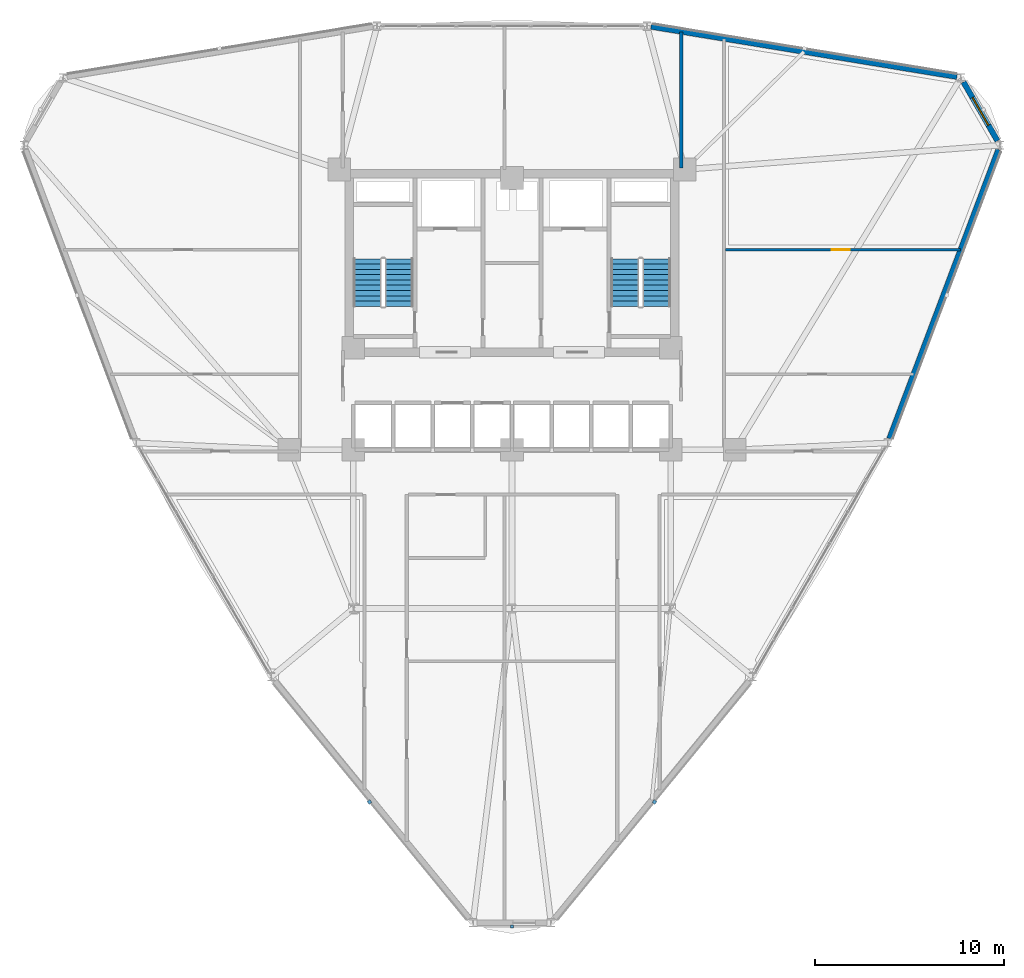
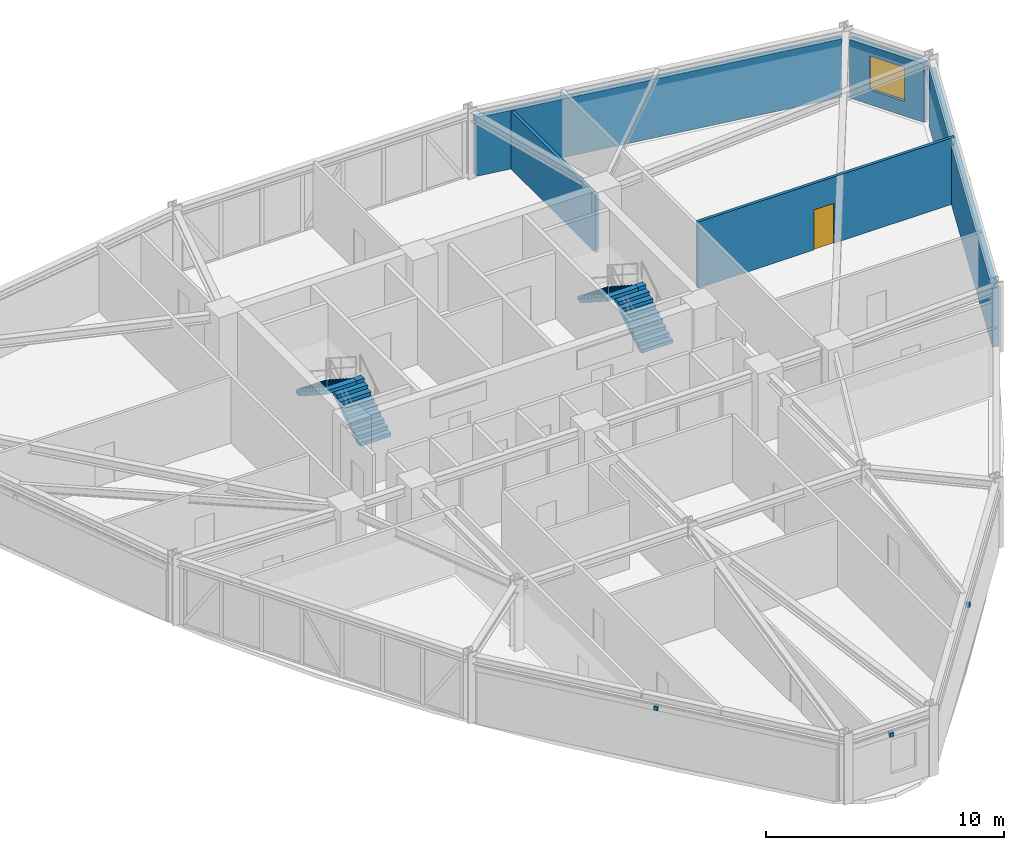
# One storey, part 14 of 17: 5 walls, 4 stair flights, 3 discrete accessories, 1 door, 1 window, 2 openings, 2 elements without a shape of their own.
"""IFC4 building model written with IfcOpenShell, lengths in metres."""

from ifc_helpers import new_model, si_unit, derived_unit, direction, frame, frame_2d, origin, origin_2d, place, context, subcontext, project, spatial, polyline, rectangle, outline, extrude, source, transform, mapped, material, layer, layer_set, type_object, element, fill, aggregate, save


model = new_model("IFC4")

# Units and contexts
model_context = context("Model", 3, precision=1e-05, world=origin(), true_north=direction((0.0, 1.0)))
body_context = subcontext(model_context, "Body", "Model", "MODEL_VIEW")
ifc_project = project(units=[si_unit("LENGTHUNIT", "METRE"), si_unit("AREAUNIT", "SQUARE_METRE"), si_unit("VOLUMEUNIT", "CUBIC_METRE"), si_unit("PLANEANGLEUNIT", "RADIAN"), si_unit("MASSUNIT", "GRAM", prefix="KILO"), derived_unit("THERMALTRANSMITTANCEUNIT", [(si_unit("POWERUNIT", "WATT"), 1), (si_unit("LENGTHUNIT", "METRE"), -2), (si_unit("THERMODYNAMICTEMPERATUREUNIT", "KELVIN"), -1)])], contexts=[model_context])

# Site, building, storey
site_placement = place(None, origin())
site = spatial("IfcSite", under=ifc_project, at=site_placement, CompositionType="ELEMENT")
building_placement = place(site_placement, origin())
building = spatial("IfcBuilding", under=site, at=building_placement, Name="Korsvarv Bourse and Concert Hall", CompositionType="ELEMENT")
storey_placement = place(building_placement, frame((0.0, 0.0, 102.60009765625)))
storey = spatial("IfcBuildingStorey", under=building, at=storey_placement, Name="L25", CompositionType="ELEMENT", Elevation=102.60009765625)

# Wall, opening, window
ifc_material_1 = material(Name="Precast concrete C45/55 with terracotta rainscreen", Category="concrete")
ifc_layer_1 = layer(ifc_material_1, 0.300048828125)
ifc_layer_set_1 = layer_set([ifc_layer_1], Name="Precast concrete C45/55 with terracotta rainscreen")
wall_type_1 = type_object("IfcWallType", Name="WL-EXT-TC1", PredefinedType="SOLIDWALL", material=ifc_layer_set_1)
wall_1_placement = place(storey_placement, frame((61.717041015625, 48.769287109375, 0.0), z_axis=(0.0, 0.0, 1.0), x_axis=(-0.500012057535, 0.866018442252, 0.0)))
wall_1 = element("IfcWall", 1, at=wall_1_placement, inside=storey, type_object=wall_type_1, Name="L25 terracotta exterior wall EW-L25-B01", PredefinedType="SOLIDWALL", context=body_context, shape_type="SweptSolid", body=[
    extrude(rectangle(XDim=3.60009765625, YDim=0.300048828125, at=frame_2d((1.800048828125, 0.0))), origin(), (0.0, 0.0, 1.0), 3.0),
])
opening_1_placement = place(wall_1_placement, frame((0.949951171875, 0.0, 0.75)))
opening_1 = element("IfcOpeningElement", 2, at=opening_1_placement, cuts=wall_1, Name="Opening W-01", PredefinedType="OPENING", context=body_context, shape_type="SweptSolid", body=[
    extrude(rectangle(XDim=1.699951171875, YDim=1.75, at=frame_2d((0.85009765625, 0.875))), frame((0.0, 0.16015625, 0.0), z_axis=(0.0, -1.0, 0.0), x_axis=(1.0, 0.0, 0.0)), (0.0, 0.0, 1.0), 0.320068359375),
])
ifc_material_2 = material(Name="Thermally broken aluminium frame with triple low-E glass", Category="glass")
window_type = type_object("IfcWindowType", Name="WIN-TW1", PartitioningType="SINGLE_PANEL", PredefinedType="WINDOW", material=ifc_material_2)
window_placement = place(opening_1_placement, origin())
window = element("IfcWindow", 3, at=window_placement, inside=storey, type_object=window_type, Name="L25 punched facade window W-01", OverallHeight=1.75, OverallWidth=1.699951171875, PartitioningType="SINGLE_PANEL", PredefinedType="WINDOW", context=body_context, shape_type="SweptSolid", body=[
    extrude(rectangle(XDim=1.699951171875, YDim=1.75, at=frame_2d((0.85009765625, 0.875))), frame((0.0, 0.030029296875, 0.0), z_axis=(0.0, -1.0, 0.0), x_axis=(1.0, 0.0, 0.0)), (0.0, 0.0, 1.0), 0.06005859375),
])
fill(opening_1, window)

# Walls
ifc_material_3 = material(Name="Precast concrete C45/55 with fluted terracotta pier", Category="concrete")
ifc_layer_2 = layer(ifc_material_3, 0.280029296875)
ifc_layer_set_2 = layer_set([ifc_layer_2], Name="Precast concrete C45/55 with fluted terracotta pier")
wall_type_2 = type_object("IfcWallType", Name="WL-EXT-TC2", PredefinedType="SOLIDWALL", material=ifc_layer_set_2)
wall_2_placement = place(storey_placement, frame((59.56884765625, 52.154541015625, 0.0), z_axis=(0.0, 0.0, 1.0), x_axis=(-0.986776921995, 0.162084256539, 0.0)))
element("IfcWall", 4, at=wall_2_placement, inside=storey, type_object=wall_type_2, Name="L25 terracotta exterior wall EW-L25-B02", PredefinedType="SOLIDWALL", context=body_context, shape_type="SweptSolid", body=[
    extrude(rectangle(XDim=16.422607421875, YDim=0.280029296875, at=frame_2d((8.21142578125, 0.0))), origin(), (0.0, 0.0, 1.0), 3.0),
])
wall_3_placement = place(storey_placement, frame((55.98828125, 32.998291015625, 0.0), z_axis=(0.0, 0.0, 1.0), x_axis=(0.353021512356, 0.935615204993, 0.0)))
element("IfcWall", 5, at=wall_3_placement, inside=storey, type_object=wall_type_2, Name="L25 terracotta exterior wall EW-L25-B12", PredefinedType="SOLIDWALL", context=body_context, shape_type="SweptSolid", body=[
    extrude(rectangle(XDim=16.359130859375, YDim=0.280029296875, at=frame_2d((8.1796875, 0.0))), origin(), (0.0, 0.0, 1.0), 3.0),
])
ifc_material_4 = material(Name="Double-stud fire-rated acoustic partition", Category="gypsum")
ifc_layer_3 = layer(ifc_material_4, 0.159912109375)
ifc_layer_set_3 = layer_set([ifc_layer_3], Name="Double-stud fire-rated acoustic partition")
wall_type_3 = type_object("IfcWallType", Name="WL-INT-EI60", PredefinedType="PARTITIONING", material=ifc_layer_set_3)
wall_4_placement = place(storey_placement, frame((44.965087890625, 47.340087890625, 0.0), z_axis=(0.0, 0.0, 1.0), x_axis=(0.0, 1.0, 0.0)))
element("IfcWall", 6, at=wall_4_placement, inside=storey, type_object=wall_type_3, Name="L25 interior partition wall W-L25-TCOR-13", PredefinedType="PARTITIONING", context=body_context, shape_type="SweptSolid", body=[
    extrude(rectangle(XDim=7.193115234375, YDim=0.159912109375, at=frame_2d((3.5966796875, 0.0))), origin(), (0.0, 0.0, 1.0), 2.949951171875),
])

# Wall, opening, door
ifc_material_5 = material(Name="Insulated steel-stud office acoustic partition", Category="gypsum")
ifc_layer_4 = layer(ifc_material_5, 0.139892578125)
ifc_layer_set_4 = layer_set([ifc_layer_4], Name="Insulated steel-stud office acoustic partition")
wall_type_4 = type_object("IfcWallType", Name="WL-INT-P1", PredefinedType="PARTITIONING", material=ifc_layer_set_4)
wall_5_placement = place(storey_placement, frame((47.306884765625, 43.0048828125, 0.0), z_axis=(0.0, 0.0, 1.0), x_axis=(1.0, 0.0, 0.0)))
wall_5 = element("IfcWall", 7, at=wall_5_placement, inside=storey, type_object=wall_type_4, Name="L25 interior partition wall W-L25-TCOR-15", PredefinedType="PARTITIONING", context=body_context, shape_type="SweptSolid", body=[
    extrude(rectangle(XDim=12.43701171875, YDim=0.139892578125, at=frame_2d((6.218505859375, 0.0))), origin(), (0.0, 0.0, 1.0), 3.39990234375),
])
opening_2_placement = place(wall_5_placement, frame((5.63720703125, 0.0, 0.0)))
opening_2 = element("IfcOpeningElement", 8, at=opening_2_placement, cuts=wall_5, Name="Opening D-03", PredefinedType="OPENING", context=body_context, shape_type="SweptSolid", body=[
    extrude(rectangle(XDim=0.949951171875, YDim=2.050048828125, at=frame_2d((0.47509765625, 1.02490234375))), frame((0.0, 0.080078125, 0.0), z_axis=(0.0, -1.0, 0.0), x_axis=(1.0, 0.0, 0.0)), (0.0, 0.0, 1.0), 0.159912109375),
])
ifc_material_6 = material(Name="Nordic oak acoustic office door", Category="wood")
door_type = type_object("IfcDoorType", Name="DR-INT-1", OperationType="NOTDEFINED", PredefinedType="DOOR", material=ifc_material_6)
door_placement = place(opening_2_placement, origin())
door = element("IfcDoor", 9, at=door_placement, inside=storey, type_object=door_type, Name="L25 interior door DR-L25-TCOR-RM33", OperationType="SINGLE_SWING_RIGHT", OverallHeight=2.050048828125, OverallWidth=0.949951171875, PredefinedType="DOOR", context=body_context, shape_type="SweptSolid", body=[
    extrude(rectangle(XDim=0.949951171875, YDim=2.050048828125, at=frame_2d((0.47509765625, 1.02490234375))), frame((0.0, 0.02490234375, 0.0), z_axis=(0.0, -1.0, 0.0), x_axis=(1.0, 0.0, 0.0)), (0.0, 0.0, 1.0), 0.050048828125),
])
fill(opening_2, door)

# Stair, stair flights
ifc_material_7 = material(Name="Precast concrete C45/55", Category="concrete")
stair_type = type_object("IfcStairType", Name="STR-TYPE-04", PredefinedType="HALF_TURN_STAIR", material=ifc_material_7)
stair_1_placement = place(storey_placement, origin())
stair_1 = element("IfcStair", 10, at=stair_1_placement, inside=storey, type_object=stair_type, Name="L25 Tower West Exit Stair ST-T1", PredefinedType="HALF_TURN_STAIR")
stair_flight_type = type_object("IfcStairFlightType", Name="FLT-TYPE-04", PredefinedType="STRAIGHT", material=ifc_material_7)
stair_flight_1_placement = place(storey_placement, frame((30.010009765625, 40.0, 0.0), z_axis=(0.0, 0.0, 1.0), x_axis=(0.0, 1.0, 0.0)))
stair_flight_1 = element("IfcStairFlight", 11, at=stair_flight_1_placement, type_object=stair_flight_type, Name="ST-T1 flight 1", NumberOfRisers=10, NumberOfTreads=9, PredefinedType="STRAIGHT", RiserHeight=0.18, TreadLength=0.28, context=body_context, shape_type="SweptSolid", body=[
    extrude(outline(polyline([(0.0, 0.0), (0.0, 0.179931640625), (0.280029296875, 0.179931640625), (0.280029296875, 0.360107421875), (0.56005859375, 0.360107421875), (0.56005859375, 0.5400390625), (0.840087890625, 0.5400390625), (0.840087890625, 0.719970703125), (1.1201171875, 0.719970703125), (1.1201171875, 0.89990234375), (1.39990234375, 0.89990234375), (1.39990234375, 1.080078125), (1.679931640625, 1.080078125), (1.679931640625, 1.260009765625), (1.9599609375, 1.260009765625), (1.9599609375, 1.43994140625), (2.239990234375, 1.43994140625), (2.239990234375, 1.6201171875), (2.52001953125, 1.6201171875), (2.52001953125, 1.800048828125), (2.52001953125, 1.44189453125), (0.277099609375, 0.0), (0.0, 0.0)])), frame((0.0, 0.75, 0.0), z_axis=(0.0, -1.0, 0.0), x_axis=(1.0, 0.0, 0.0)), (0.0, 0.0, 1.0), 1.5),
])
stair_flight_2_placement = place(storey_placement, frame((28.35009765625, 42.52001953125, 1.7998046875), z_axis=(0.0, 0.0, 1.0), x_axis=(0.0, -1.0, 0.0)))
stair_flight_2 = element("IfcStairFlight", 12, at=stair_flight_2_placement, type_object=stair_flight_type, Name="ST-T1 flight 2", NumberOfRisers=10, NumberOfTreads=9, PredefinedType="STRAIGHT", RiserHeight=0.18, TreadLength=0.28, context=body_context, shape_type="SweptSolid", body=[
    extrude(outline(polyline([(0.0, 0.0), (0.0, 0.179931640625), (0.280029296875, 0.179931640625), (0.280029296875, 0.360107421875), (0.56005859375, 0.360107421875), (0.56005859375, 0.5400390625), (0.840087890625, 0.5400390625), (0.840087890625, 0.719970703125), (1.1201171875, 0.719970703125), (1.1201171875, 0.89990234375), (1.39990234375, 0.89990234375), (1.39990234375, 1.080078125), (1.679931640625, 1.080078125), (1.679931640625, 1.260009765625), (1.9599609375, 1.260009765625), (1.9599609375, 1.43994140625), (2.239990234375, 1.43994140625), (2.239990234375, 1.6201171875), (2.52001953125, 1.6201171875), (2.52001953125, 1.800048828125), (2.52001953125, 1.44189453125), (0.277099609375, 0.0), (0.0, 0.0)])), frame((0.0, 0.75, 0.0), z_axis=(0.0, -1.0, 0.0), x_axis=(1.0, 0.0, 0.0)), (0.0, 0.0, 1.0), 1.5),
])
aggregate(stair_1, [stair_flight_1, stair_flight_2])

stair_2_placement = place(storey_placement, origin())
stair_2 = element("IfcStair", 13, at=stair_2_placement, inside=storey, type_object=stair_type, Name="L25 Tower East Exit Stair ST-T2", PredefinedType="HALF_TURN_STAIR")
stair_flight_3_placement = place(storey_placement, frame((43.64990234375, 40.0, 0.0), z_axis=(0.0, 0.0, 1.0), x_axis=(0.0, 1.0, 0.0)))
stair_flight_3 = element("IfcStairFlight", 14, at=stair_flight_3_placement, type_object=stair_flight_type, Name="ST-T2 flight 1", NumberOfRisers=10, NumberOfTreads=9, PredefinedType="STRAIGHT", RiserHeight=0.18, TreadLength=0.28, context=body_context, shape_type="SweptSolid", body=[
    extrude(outline(polyline([(0.0, 0.0), (0.0, 0.179931640625), (0.280029296875, 0.179931640625), (0.280029296875, 0.360107421875), (0.56005859375, 0.360107421875), (0.56005859375, 0.5400390625), (0.840087890625, 0.5400390625), (0.840087890625, 0.719970703125), (1.1201171875, 0.719970703125), (1.1201171875, 0.89990234375), (1.39990234375, 0.89990234375), (1.39990234375, 1.080078125), (1.679931640625, 1.080078125), (1.679931640625, 1.260009765625), (1.9599609375, 1.260009765625), (1.9599609375, 1.43994140625), (2.239990234375, 1.43994140625), (2.239990234375, 1.6201171875), (2.52001953125, 1.6201171875), (2.52001953125, 1.800048828125), (2.52001953125, 1.44189453125), (0.277099609375, 0.0), (0.0, 0.0)])), frame((0.0, 0.75, 0.0), z_axis=(0.0, -1.0, 0.0), x_axis=(1.0, 0.0, 0.0)), (0.0, 0.0, 1.0), 1.5),
])
stair_flight_4_placement = place(storey_placement, frame((41.989990234375, 42.52001953125, 1.7998046875), z_axis=(0.0, 0.0, 1.0), x_axis=(0.0, -1.0, 0.0)))
stair_flight_4 = element("IfcStairFlight", 15, at=stair_flight_4_placement, type_object=stair_flight_type, Name="ST-T2 flight 2", NumberOfRisers=10, NumberOfTreads=9, PredefinedType="STRAIGHT", RiserHeight=0.18, TreadLength=0.28, context=body_context, shape_type="SweptSolid", body=[
    extrude(outline(polyline([(0.0, 0.0), (0.0, 0.179931640625), (0.280029296875, 0.179931640625), (0.280029296875, 0.360107421875), (0.56005859375, 0.360107421875), (0.56005859375, 0.5400390625), (0.840087890625, 0.5400390625), (0.840087890625, 0.719970703125), (1.1201171875, 0.719970703125), (1.1201171875, 0.89990234375), (1.39990234375, 0.89990234375), (1.39990234375, 1.080078125), (1.679931640625, 1.080078125), (1.679931640625, 1.260009765625), (1.9599609375, 1.260009765625), (1.9599609375, 1.43994140625), (2.239990234375, 1.43994140625), (2.239990234375, 1.6201171875), (2.52001953125, 1.6201171875), (2.52001953125, 1.800048828125), (2.52001953125, 1.44189453125), (0.277099609375, 0.0), (0.0, 0.0)])), frame((0.0, 0.75, 0.0), z_axis=(0.0, -1.0, 0.0), x_axis=(1.0, 0.0, 0.0)), (0.0, 0.0, 1.0), 1.5),
])
aggregate(stair_2, [stair_flight_3, stair_flight_4])

# Discrete accessories
ifc_material_8 = material(Name="Stainless Steel S355 facade outrigger bracket", Category="steel")
discrete_accessory_type = type_object("IfcDiscreteAccessoryType", Name="ACC-BRK-1", PredefinedType="BRACKET", material=ifc_material_8)
shared_shape = source(origin(), body_context, "Body", "SweptSolid", [
    extrude(rectangle(XDim=0.179931640625, YDim=0.179931640625, at=origin_2d()), origin(), (0.0, 0.0, 1.0), 0.199951171875),
])
for number, where, z_axis, x_axis, name in (
    (16, (28.450927734375, 13.749267578125, 2.73974609375), (0.0, 0.0, 1.0), (0.633785967573, -0.773508466216, 0.0), "L25 terracotta sunshade bracket EW-L25-B08"),
    (17, (36.0, 7.15380859375, 2.73974609375), (0.0, 0.0, 1.0), (1.0, 0.0, 0.0), "L25 terracotta sunshade bracket EW-L25-B09"),
    (18, (43.549072265625, 13.749267578125, 2.73974609375), (0.0, 0.0, 1.0), (0.633785967573, 0.773508466216, 0.0), "L25 terracotta sunshade bracket EW-L25-B10"),
):
    element("IfcDiscreteAccessory", number, at=place(storey_placement, frame(where, z_axis=z_axis, x_axis=x_axis)), inside=storey, type_object=discrete_accessory_type, Name=name, PredefinedType="BRACKET", context=body_context, shape_type="MappedRepresentation", body=[
        mapped(shared_shape, transform((0.0, 0.0, 0.0), scale=1.0)),
    ])

save(model, "model.ifc")
